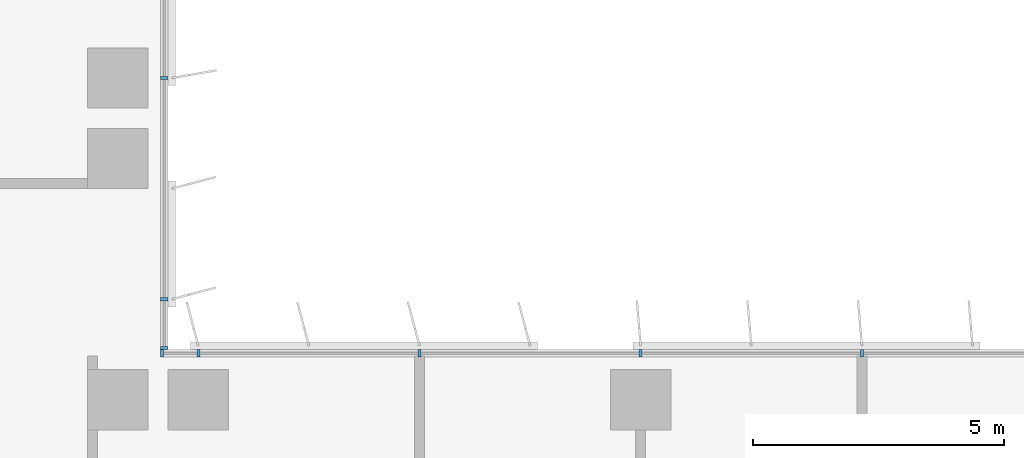
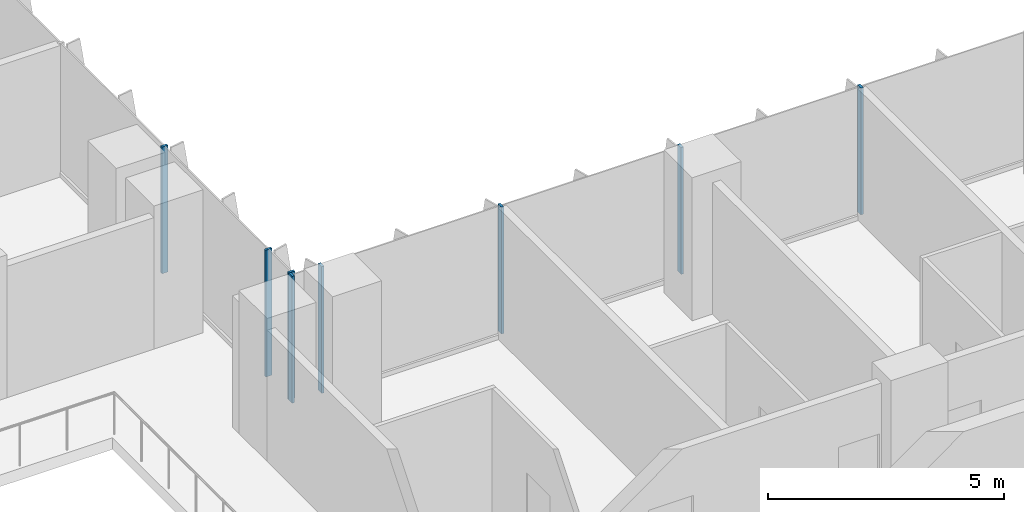
# One storey, part 2 of 23: 8 members, 2 elements without a shape of their own.
"""IFC4 building model written with IfcOpenShell, lengths in metres."""

from ifc_helpers import new_model, si_unit, direction, frame, origin, origin_2d, place, context, subcontext, project, spatial, rectangle, extrude, source, transform, mapped, material, material_profile, profile_set, type_object, element, aggregate, save


model = new_model("IFC4")

# Units and contexts
model_context = context("Model", 3, precision=1e-05, world=origin(), true_north=direction((0.0, 1.0)))
body_context = subcontext(model_context, "Body", "Model", "MODEL_VIEW")
ifc_project = project(units=[si_unit("LENGTHUNIT", "METRE"), si_unit("AREAUNIT", "SQUARE_METRE"), si_unit("VOLUMEUNIT", "CUBIC_METRE"), si_unit("PLANEANGLEUNIT", "RADIAN"), si_unit("MASSUNIT", "GRAM", prefix="KILO")], contexts=[model_context])

# Site, building, storey
site_placement = place(None, origin())
site = spatial("IfcSite", under=ifc_project, at=site_placement, CompositionType="ELEMENT")
building_placement = place(site_placement, origin())
building = spatial("IfcBuilding", under=site, at=building_placement, Name="Kemantara Hotel Tower", CompositionType="ELEMENT")
storey_placement = place(building_placement, frame((0.0, 0.0, 142.0)))
storey = spatial("IfcBuildingStorey", under=building, at=storey_placement, Name="L34", CompositionType="ELEMENT", Elevation=142.0)

# Curtain wall, members
ifc_material_1 = material(Name="Low-E tinted double insulated glass 36 mm", Category="glass")
curtain_wall_type = type_object("IfcCurtainWallType", Name="TOWER CURTAIN WALL, FRONT FACES", PredefinedType="USERDEFINED", material=ifc_material_1)
curtain_wall_1_placement = place(storey_placement, origin())
curtain_wall_1 = element("IfcCurtainWall", 1, at=curtain_wall_1_placement, inside=storey, type_object=curtain_wall_type, Name="CW4 L34 T2-R13-1", ObjectType="TOWER CURTAIN WALL, FRONT FACES", PredefinedType="USERDEFINED")
ifc_material_2 = material(Name="Aluminium 6063-T6 bronze anodised", Category="aluminium")
ifc_material_profile = material_profile(ifc_material_2, rectangle(XDim=0.14990234375, YDim=0.06005859375, at=origin_2d()), Name="TOWER CURTAIN WALL, FRONT FACES MULLION")
ifc_profile_set = profile_set([ifc_material_profile], Name="Aluminium 6063-T6 bronze anodised")
member_type = type_object("IfcMemberType", Name="TOWER CURTAIN WALL, FRONT FACES MULLION", PredefinedType="MULLION", material=ifc_profile_set)
shared_shape = source(origin(), body_context, "Body", "SweptSolid", [
    extrude(rectangle(XDim=0.14990234375, YDim=0.06005859375, at=origin_2d()), origin(), (0.0, 0.0, 1.0), 3.27978515625),
])
member_1_placement = place(storey_placement, frame((40.60009765625, 21.925048828125, 0.1201171875), z_axis=(0.0, 0.0, 1.0), x_axis=(0.0, -1.0, 0.0)))
member_1 = element("IfcMember", 2, at=member_1_placement, type_object=member_type, Name="CW4 mullion T2-R13-1.6", PredefinedType="MULLION", context=body_context, shape_type="MappedRepresentation", body=[
    mapped(shared_shape, transform((0.0, 0.0, 0.0))),
])
member_2_placement = place(storey_placement, frame((36.199951171875, 21.925048828125, 0.1201171875), z_axis=(0.0, 0.0, 1.0), x_axis=(0.0, -1.0, 0.0)))
member_2 = element("IfcMember", 3, at=member_2_placement, type_object=member_type, Name="CW4 mullion T2-R13-1.7", PredefinedType="MULLION", context=body_context, shape_type="MappedRepresentation", body=[
    mapped(shared_shape, transform((0.0, 0.0, 0.0))),
])
member_3_placement = place(storey_placement, frame((31.800048828125, 21.925048828125, 0.1201171875), z_axis=(0.0, 0.0, 1.0), x_axis=(0.0, -1.0, 0.0)))
member_3 = element("IfcMember", 4, at=member_3_placement, type_object=member_type, Name="CW4 mullion T2-R13-1.8", PredefinedType="MULLION", context=body_context, shape_type="MappedRepresentation", body=[
    mapped(shared_shape, transform((0.0, 0.0, 0.0))),
])
member_4_placement = place(storey_placement, frame((27.39990234375, 21.925048828125, 0.1201171875), z_axis=(0.0, 0.0, 1.0), x_axis=(0.0, -1.0, 0.0)))
member_4 = element("IfcMember", 5, at=member_4_placement, type_object=member_type, Name="CW4 mullion T2-R13-1.9", PredefinedType="MULLION", context=body_context, shape_type="MappedRepresentation", body=[
    mapped(shared_shape, transform((0.0, 0.0, 0.0))),
])
member_5_placement = place(storey_placement, frame((26.679931640625, 21.925048828125, 0.1201171875), z_axis=(0.0, 0.0, 1.0), x_axis=(0.0, -1.0, 0.0)))
member_5 = element("IfcMember", 6, at=member_5_placement, type_object=member_type, Name="CW4 mullion T2-R13-1.10", PredefinedType="MULLION", context=body_context, shape_type="MappedRepresentation", body=[
    mapped(shared_shape, transform((0.0, 0.0, 0.0))),
])
aggregate(curtain_wall_1, [member_1, member_2, member_3, member_4, member_5])

curtain_wall_2_placement = place(storey_placement, origin())
curtain_wall_2 = element("IfcCurtainWall", 7, at=curtain_wall_2_placement, inside=storey, type_object=curtain_wall_type, Name="CW4 L34 T2-R14-1", ObjectType="TOWER CURTAIN WALL, FRONT FACES", PredefinedType="USERDEFINED")
member_6_placement = place(storey_placement, frame((26.72509765625, 22.030029296875, 0.1201171875), z_axis=(0.0, 0.0, 1.0), x_axis=(-1.0, 0.0, 0.0)))
member_6 = element("IfcMember", 8, at=member_6_placement, type_object=member_type, Name="CW4 mullion T2-R14-1.1", PredefinedType="MULLION", context=body_context, shape_type="MappedRepresentation", body=[
    mapped(shared_shape, transform((0.0, 0.0, 0.0))),
])
member_7_placement = place(storey_placement, frame((26.72509765625, 23.0, 0.1201171875), z_axis=(0.0, 0.0, 1.0), x_axis=(-1.0, 0.0, 0.0)))
member_7 = element("IfcMember", 9, at=member_7_placement, type_object=member_type, Name="CW4 mullion T2-R14-1.2", PredefinedType="MULLION", context=body_context, shape_type="MappedRepresentation", body=[
    mapped(shared_shape, transform((0.0, 0.0, 0.0))),
])
member_8_placement = place(storey_placement, frame((26.72509765625, 27.39990234375, 0.1201171875), z_axis=(0.0, 0.0, 1.0), x_axis=(-1.0, 0.0, 0.0)))
member_8 = element("IfcMember", 10, at=member_8_placement, type_object=member_type, Name="CW4 mullion T2-R14-1.3", PredefinedType="MULLION", context=body_context, shape_type="MappedRepresentation", body=[
    mapped(shared_shape, transform((0.0, 0.0, 0.0))),
])
aggregate(curtain_wall_2, [member_6, member_7, member_8])

save(model, "model.ifc")
